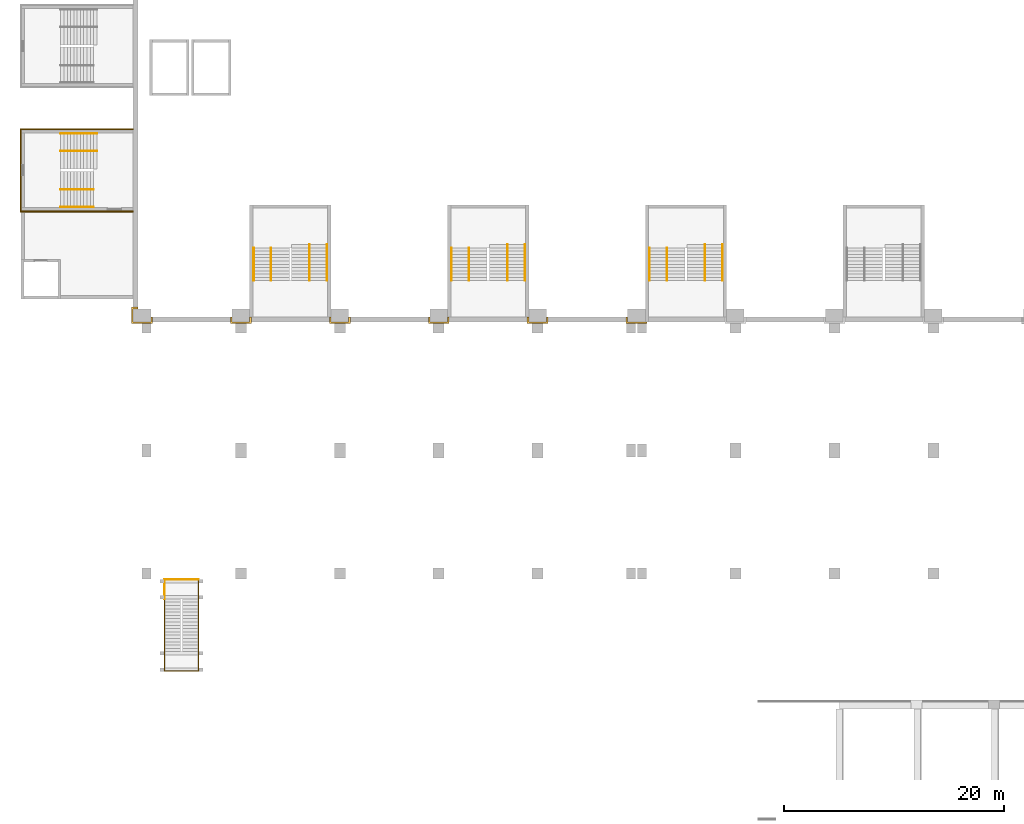
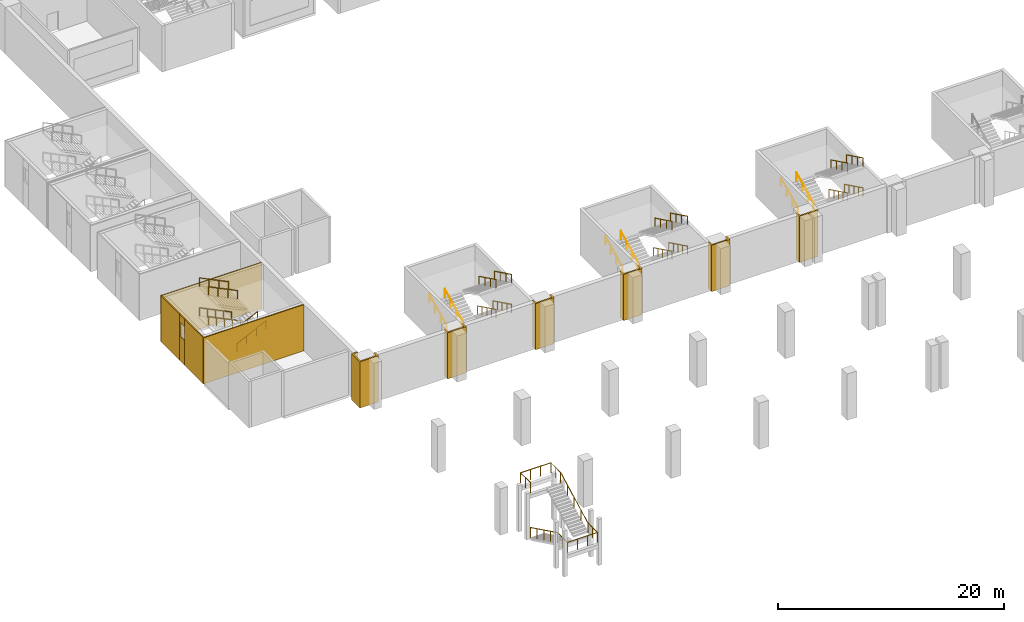
# One storey, part 54 of 67: 26 railings, 12 coverings.
"""IFC4 building model written with IfcOpenShell, lengths in metres."""

import ifcopenshell
import ifcopenshell.guid

model = None  # the IFC model being written
_history = None  # IfcOwnerHistory: only IFC2X3 demands one
_inside = {}  # id of a spatial element -> (the spatial element, [elements in it])
_under = {}  # id of a project, library or spatial element -> (it, [spatial elements below it])
_declared = {}  # id of a project -> (the project, [libraries it declares])
_typed = {}  # id of a type object -> (the type object, [elements of that type])
_made_of = {}  # id of a material, layer set ... -> (it, [elements and type objects made of it])


def new_model(schema):
    """Start an empty IFC model of exactly this schema.

    Asked for "IFC4X3", IfcOpenShell would pick the latest addendum, in which some entities
    have other attributes; the version numbers below select the first issue.
    IFC2X3 requires an IfcOwnerHistory on every rooted entity: one is made here for all.
    """
    global model, _history
    if schema == "IFC4X3":
        model = ifcopenshell.file(schema_version=(4, 3, 0, 0))
    else:
        model = ifcopenshell.file(schema=schema)
    _inside.clear()
    _under.clear()
    _declared.clear()
    _typed.clear()
    _made_of.clear()
    _history = None
    if model.schema == "IFC2X3":
        org = make("IfcOrganization", Name="unknown")
        user = make(
            "IfcPersonAndOrganization",
            ThePerson=make("IfcPerson", FamilyName="unknown"),
            TheOrganization=org,
        )
        app = make(
            "IfcApplication",
            ApplicationDeveloper=org,
            Version="unknown",
            ApplicationFullName="unknown",
            ApplicationIdentifier="unknown",
        )
        _history = make(
            "IfcOwnerHistory",
            OwningUser=user,
            OwningApplication=app,
            ChangeAction="ADDED",
            CreationDate=0,
        )
    return model


def make(cls, **values):
    """One entity of the class cls with the attributes given. An attribute that is None is left unset."""
    return model.create_entity(
        cls, **{name: value for name, value in values.items() if value is not None}
    )


def rooted(cls, **values):
    """An entity with a GlobalId (a new one), such as an element, a storey or a relation."""
    return make(cls, GlobalId=ifcopenshell.guid.new(), OwnerHistory=_history, **values)


def si_unit(unit_type, name, prefix=None):
    """IfcSIUnit, for example si_unit("LENGTHUNIT", "METRE", prefix="MILLI")."""
    return make("IfcSIUnit", UnitType=unit_type, Prefix=prefix, Name=name)


def assignment(units):
    """IfcUnitAssignment: the units of a project."""
    return None if units is None else make("IfcUnitAssignment", Units=units)


def point(xyz):
    """IfcCartesianPoint."""
    return None if xyz is None else make("IfcCartesianPoint", Coordinates=xyz)


def direction(xyz):
    """IfcDirection."""
    return None if xyz is None else make("IfcDirection", DirectionRatios=xyz)


def frame(location, z_axis=None, x_axis=None):
    """IfcAxis2Placement3D, a coordinate frame: its origin and axes. An axis left out is left unset."""
    return make(
        "IfcAxis2Placement3D",
        Location=point(location),
        Axis=direction(z_axis),
        RefDirection=direction(x_axis),
    )


def frame_2d(location, x_axis=None):
    """IfcAxis2Placement2D, a coordinate frame in the plane: its origin and x axis."""
    return make(
        "IfcAxis2Placement2D", Location=point(location), RefDirection=direction(x_axis)
    )


def origin():
    """The frame at (0, 0, 0) with its axes left unset."""
    return frame((0.0, 0.0, 0.0))


def origin_2d():
    """The frame at (0, 0) in the plane with its x axis left unset."""
    return frame_2d((0.0, 0.0))


def place(relative_to, where):
    """IfcLocalPlacement: puts the frame where relative to a parent placement (None: the world)."""
    return make(
        "IfcLocalPlacement", PlacementRelTo=relative_to, RelativePlacement=where
    )


def context(
    kind, dimensions, precision=None, world=None, true_north=None, identifier=None
):
    """IfcGeometricRepresentationContext, for example the 3D "Model" context."""
    return make(
        "IfcGeometricRepresentationContext",
        ContextIdentifier=identifier,
        ContextType=kind,
        CoordinateSpaceDimension=dimensions,
        Precision=precision,
        WorldCoordinateSystem=world,
        TrueNorth=true_north,
    )


def subcontext(parent, identifier, kind, view, scale=None):
    """IfcGeometricRepresentationSubContext, for example "Body" below "Model"."""
    return make(
        "IfcGeometricRepresentationSubContext",
        ContextIdentifier=identifier,
        ContextType=kind,
        ParentContext=parent,
        TargetScale=scale,
        TargetView=view,
    )


def project(units=None, contexts=None):
    """IfcProject with its units and contexts."""
    return rooted(
        "IfcProject",
        Name="project",
        RepresentationContexts=contexts,
        UnitsInContext=assignment(units),
    )


def spatial(cls, under=None, at=None, **own):
    """A site, building, storey or space (cls), placed at a placement, below another one or the project."""
    s = rooted(cls, ObjectPlacement=at, **own)
    if under is not None:
        _under.setdefault(under.id(), (under, []))[1].append(s)
    return s


def polyline(points):
    """IfcPolyline through the points."""
    return make("IfcPolyline", Points=[point(p) for p in points])


def profile(cls, at=None, kind="AREA", **sizes):
    """A parametric profile (cls). Its sizes go by their IFC names, for example OverallWidth=200.0."""
    return make(cls, ProfileType=kind, Position=at, **sizes)


def circle(**sizes):
    """IfcCircleProfileDef."""
    return profile("IfcCircleProfileDef", **sizes)


def outline(outer, holes=None, kind="AREA"):
    """IfcArbitraryClosedProfileDef: a profile drawn as a closed curve; with holes, ...WithVoids."""
    if holes is None:
        return make("IfcArbitraryClosedProfileDef", ProfileType=kind, OuterCurve=outer)
    return make(
        "IfcArbitraryProfileDefWithVoids",
        ProfileType=kind,
        OuterCurve=outer,
        InnerCurves=holes,
    )


def extrude(swept, where, along, depth):
    """IfcExtrudedAreaSolid: the profile swept, set in the frame where, extruded along a direction by depth."""
    return make(
        "IfcExtrudedAreaSolid",
        SweptArea=swept,
        Position=where,
        ExtrudedDirection=direction(along),
        Depth=depth,
    )


def shape(context_of_items, identifier, shape_type, items):
    """IfcShapeRepresentation: the items that make up one representation, for example the "Body"."""
    return make(
        "IfcShapeRepresentation",
        ContextOfItems=context_of_items,
        RepresentationIdentifier=identifier,
        RepresentationType=shape_type,
        Items=items,
    )


def material(Name=None, Category=None):
    """IfcMaterial."""
    return make("IfcMaterial", Name=Name, Category=Category)


def layer(
    of_material, thickness, ventilated=None, Name=None, Category=None, Priority=None
):
    """IfcMaterialLayer: one layer of a wall or slab, of a material (None: an air gap)."""
    return make(
        "IfcMaterialLayer",
        Material=of_material,
        LayerThickness=thickness,
        IsVentilated=ventilated,
        Name=Name,
        Category=Category,
        Priority=Priority,
    )


def layer_set(layers, Name=None):
    """IfcMaterialLayerSet."""
    return make("IfcMaterialLayerSet", MaterialLayers=layers, LayerSetName=Name)


def made_of(thing, what):
    """Note that an element or type object is made of a material, layer set ...; save() writes the relation."""
    if what is not None:
        _made_of.setdefault(what.id(), (what, []))[1].append(thing)
    return thing


def type_object(cls, material=None, **own):
    """A type object (cls), such as IfcWallType, which elements share."""
    return made_of(rooted(cls, **own), material)


def element(
    cls,
    number,
    at=None,
    inside=None,
    cuts=None,
    type_object=None,
    material=None,
    context=None,
    identifier="Body",
    shape_type=None,
    held_by="IfcProductDefinitionShape",
    body=None,
    shapes=None,
    **own,
):
    """One element of the class cls, such as IfcWall. Its Tag is "e" and its number.

    at: its placement. inside: the storey or other place that contains it. cuts: it is an
    opening in that element (IfcRelVoidsElement). A single representation is given by context,
    identifier, shape_type and body (its items); several are given by shapes. held_by: the class
    of the entity that holds the representations. save() writes the other relations.
    """
    e = rooted(cls, Tag="e%d" % number, ObjectPlacement=at, **own)
    if body is not None:
        shapes = [shape(context, identifier, shape_type, body)]
    if shapes is not None:
        e.Representation = make(held_by, Representations=shapes)
    if inside is not None:
        _inside.setdefault(inside.id(), (inside, []))[1].append(e)
    if cuts is not None:
        rooted(
            "IfcRelVoidsElement", RelatingBuildingElement=cuts, RelatedOpeningElement=e
        )
    if type_object is not None:
        _typed.setdefault(type_object.id(), (type_object, []))[1].append(e)
    return made_of(e, material)


def aggregate(whole, parts):
    """IfcRelAggregates: a whole, such as a stair, and the parts it consists of."""
    return rooted("IfcRelAggregates", RelatingObject=whole, RelatedObjects=parts)


def save(model, path):
    """Write the relations noted so far, then the file.

    IfcRelAggregates (storeys below a building ...), IfcRelContainedInSpatialStructure (elements
    in a storey), IfcRelDefinesByType, IfcRelAssociatesMaterial and IfcRelDeclares: one each for
    every whole, place, type object, material and project.
    """
    for whole, parts in _under.values():
        aggregate(whole, parts)
    for where, things in _inside.values():
        rooted(
            "IfcRelContainedInSpatialStructure",
            RelatedElements=things,
            RelatingStructure=where,
        )
    for kind, things in _typed.values():
        rooted("IfcRelDefinesByType", RelatedObjects=things, RelatingType=kind)
    for what, things in _made_of.values():
        rooted("IfcRelAssociatesMaterial", RelatedObjects=things, RelatingMaterial=what)
    for by, libraries in _declared.values():
        rooted("IfcRelDeclares", RelatingContext=by, RelatedDefinitions=libraries)
    model.write(path)


model = new_model("IFC4")

# Units and contexts
model_context = context("Model", 3, precision=1e-05, world=origin(), true_north=direction((0.0, 1.0)))
body_context = subcontext(model_context, "Body", "Model", "MODEL_VIEW")
ifc_project = project(units=[si_unit("LENGTHUNIT", "METRE"), si_unit("AREAUNIT", "SQUARE_METRE"), si_unit("VOLUMEUNIT", "CUBIC_METRE"), si_unit("PLANEANGLEUNIT", "RADIAN"), si_unit("MASSUNIT", "GRAM", prefix="KILO")], contexts=[model_context])

# Site, building, storey
site_placement = place(None, origin())
site = spatial("IfcSite", under=ifc_project, at=site_placement, CompositionType="ELEMENT")
building_placement = place(site_placement, origin())
building = spatial("IfcBuilding", under=site, at=building_placement, Name="Aravalli Gate Trade Fair Centre", CompositionType="ELEMENT")
storey_placement = place(building_placement, frame((0.0, 0.0, 5.0)))
storey = spatial("IfcBuildingStorey", under=building, at=storey_placement, Name="L01", CompositionType="ELEMENT", Elevation=5.0)

# Railings
ifc_material_1 = material(Name="Steel E350", Category="steel")
railing_type_1 = type_object("IfcRailingType", Name="Edge guard 1100", PredefinedType="GUARDRAIL", material=ifc_material_1)
railing_1_placement = place(storey_placement, frame((8.050048828125, 20.199951171875, 0.147216796875)))
element("IfcRailing", 1, at=railing_1_placement, inside=storey, type_object=railing_type_1, Name="Stair guard 1 L01 A", PredefinedType="GUARDRAIL", context=body_context, shape_type="SweptSolid", body=[
    extrude(circle(Radius=0.02392578125, at=origin_2d()), frame((0.0, 0.0, 1.076171875), z_axis=(0.0, -0.89793417156, 0.440129780343), x_axis=(1.0, 0.0, 0.0)), (0.0, 0.0, 1.0), 5.345703125),
    extrude(circle(Radius=0.02392578125, at=origin_2d()), frame((0.0, -4.800048828125, 3.4287109375), z_axis=(0.0, -1.0, 0.0), x_axis=(1.0, 0.0, 0.0)), (0.0, 0.0, 1.0), 1.75),
    extrude(circle(Radius=0.02392578125, at=origin_2d()), frame((0.0, -6.550048828125, 3.4287109375), z_axis=(1.0, 0.0, 0.0), x_axis=(0.0, 1.0, 0.0)), (0.0, 0.0, 1.0), 3.099853515625),
    extrude(circle(Radius=0.02392578125, at=origin_2d()), frame((3.099853515625, -6.550048828125, 3.4287109375), z_axis=(0.0, 1.0, 0.0), x_axis=(-1.0, 0.0, 0.0)), (0.0, 0.0, 1.0), 1.75),
    extrude(circle(Radius=0.02392578125, at=origin_2d()), frame((3.099853515625, -4.800048828125, 3.4287109375), z_axis=(0.0, 0.886916009322, 0.46193072252), x_axis=(-1.0, 0.0, 0.0)), (0.0, 0.0, 1.0), 5.412109375),
    extrude(circle(Radius=0.02392578125, at=origin_2d()), frame((3.099853515625, 0.0, 5.9287109375), z_axis=(0.0, 1.0, 0.0), x_axis=(-1.0, 0.0, 0.0)), (0.0, 0.0, 1.0), 1.75),
    extrude(circle(Radius=0.02099609375, at=origin_2d()), origin(), (0.0, 0.0, 1.0), 1.052001953125),
    extrude(circle(Radius=0.02099609375, at=origin_2d()), frame((0.0, -1.199951171875, 0.588134765625)), (0.0, 0.0, 1.0), 1.052001953125),
    extrude(circle(Radius=0.02099609375, at=origin_2d()), frame((0.0, -2.39990234375, 1.17626953125)), (0.0, 0.0, 1.0), 1.052001953125),
    extrude(circle(Radius=0.02099609375, at=origin_2d()), frame((0.0, -3.60009765625, 1.7646484375)), (0.0, 0.0, 1.0), 1.052001953125),
    extrude(circle(Radius=0.02099609375, at=origin_2d()), frame((0.0, -4.800048828125, 2.352783203125)), (0.0, 0.0, 1.0), 1.052001953125),
    extrude(circle(Radius=0.02099609375, at=origin_2d()), frame((0.0, -5.675048828125, 2.352783203125)), (0.0, 0.0, 1.0), 1.052001953125),
    extrude(circle(Radius=0.02099609375, at=origin_2d()), frame((0.0, -6.550048828125, 2.352783203125)), (0.0, 0.0, 1.0), 1.052001953125),
    extrude(circle(Radius=0.02099609375, at=origin_2d()), frame((1.033203125, -6.550048828125, 2.352783203125)), (0.0, 0.0, 1.0), 1.052001953125),
    extrude(circle(Radius=0.02099609375, at=origin_2d()), frame((2.066650390625, -6.550048828125, 2.352783203125)), (0.0, 0.0, 1.0), 1.052001953125),
    extrude(circle(Radius=0.02099609375, at=origin_2d()), frame((3.099853515625, -6.550048828125, 2.352783203125)), (0.0, 0.0, 1.0), 1.052001953125),
    extrude(circle(Radius=0.02099609375, at=origin_2d()), frame((3.099853515625, -5.675048828125, 2.352783203125)), (0.0, 0.0, 1.0), 1.052001953125),
    extrude(circle(Radius=0.02099609375, at=origin_2d()), frame((3.099853515625, -4.800048828125, 2.352783203125)), (0.0, 0.0, 1.0), 1.052001953125),
    extrude(circle(Radius=0.02099609375, at=origin_2d()), frame((3.099853515625, -3.60009765625, 2.977783203125)), (0.0, 0.0, 1.0), 1.052001953125),
    extrude(circle(Radius=0.02099609375, at=origin_2d()), frame((3.099853515625, -2.39990234375, 3.602783203125)), (0.0, 0.0, 1.0), 1.052001953125),
    extrude(circle(Radius=0.02099609375, at=origin_2d()), frame((3.099853515625, -1.199951171875, 4.227783203125)), (0.0, 0.0, 1.0), 1.052001953125),
    extrude(circle(Radius=0.02099609375, at=origin_2d()), frame((3.099853515625, 0.0, 4.852783203125)), (0.0, 0.0, 1.0), 1.052001953125),
    extrude(circle(Radius=0.02099609375, at=origin_2d()), frame((3.099853515625, 0.875, 4.852783203125)), (0.0, 0.0, 1.0), 1.052001953125),
    extrude(circle(Radius=0.02099609375, at=origin_2d()), frame((3.099853515625, 1.75, 4.852783203125)), (0.0, 0.0, 1.0), 1.052001953125),
])
railing_2_placement = place(storey_placement, frame((8.050048828125, 20.199951171875, 5.0)))
element("IfcRailing", 2, at=railing_2_placement, inside=storey, type_object=railing_type_1, Name="Stair guard 1 L01 B", PredefinedType="GUARDRAIL", context=body_context, shape_type="SweptSolid", body=[
    extrude(circle(Radius=0.02392578125, at=origin_2d()), frame((0.0, 0.0, 1.076171875), z_axis=(0.0, 1.0, 0.0), x_axis=(-1.0, 0.0, 0.0)), (0.0, 0.0, 1.0), 1.75),
    extrude(circle(Radius=0.02392578125, at=origin_2d()), frame((0.0, 1.75, 1.076171875), z_axis=(1.0, 0.0, 0.0), x_axis=(0.0, 1.0, 0.0)), (0.0, 0.0, 1.0), 3.099853515625),
    extrude(circle(Radius=0.02099609375, at=origin_2d()), origin(), (0.0, 0.0, 1.0), 1.052001953125),
    extrude(circle(Radius=0.02099609375, at=origin_2d()), frame((0.0, 0.875, 0.0)), (0.0, 0.0, 1.0), 1.052001953125),
    extrude(circle(Radius=0.02099609375, at=origin_2d()), frame((0.0, 1.75, 0.0)), (0.0, 0.0, 1.0), 1.052001953125),
    extrude(circle(Radius=0.02099609375, at=origin_2d()), frame((1.033203125, 1.75, 0.0)), (0.0, 0.0, 1.0), 1.052001953125),
    extrude(circle(Radius=0.02099609375, at=origin_2d()), frame((2.066650390625, 1.75, 0.0)), (0.0, 0.0, 1.0), 1.052001953125),
    extrude(circle(Radius=0.02099609375, at=origin_2d()), frame((3.099853515625, 1.75, 0.0)), (0.0, 0.0, 1.0), 1.052001953125),
])

# Coverings
ifc_material_2 = material(Name="Terracotta", Category="masonry")
ifc_layer_1 = layer(ifc_material_2, 0.10009765625)
ifc_layer_set_1 = layer_set([ifc_layer_1], Name="Terracotta")
covering_type_1 = type_object("IfcCoveringType", Name="End tower cladding 100", PredefinedType="CLADDING", material=ifc_layer_set_1)
covering_1_placement = place(storey_placement, origin())
element("IfcCovering", 3, at=covering_1_placement, inside=storey, type_object=covering_type_1, Name="End tower W1 cladding L01 side A", PredefinedType="CLADDING", context=body_context, shape_type="SweptSolid", body=[
    extrude(outline(polyline([(5.199951171875, 55.39990234375), (-5.10009765625, 55.39990234375), (-5.10009765625, 55.5), (5.199951171875, 55.5), (5.199951171875, 55.39990234375)])), origin(), (0.0, 0.0, 1.0), 5.0),
])
covering_2_placement = place(storey_placement, origin())
element("IfcCovering", 4, at=covering_2_placement, inside=storey, type_object=covering_type_1, Name="End tower W1 cladding L01 side B", PredefinedType="CLADDING", context=body_context, shape_type="SweptSolid", body=[
    extrude(outline(polyline([(5.199951171875, 62.89990234375), (-5.10009765625, 62.89990234375), (-5.10009765625, 63.0), (5.199951171875, 63.0), (5.199951171875, 62.89990234375)])), origin(), (0.0, 0.0, 1.0), 5.0),
])
covering_3_placement = place(storey_placement, origin())
element("IfcCovering", 5, at=covering_3_placement, inside=storey, type_object=covering_type_1, Name="End tower W1 cladding L01 far left", PredefinedType="CLADDING", context=body_context, shape_type="SweptSolid", body=[
    extrude(outline(polyline([(-5.0, 55.5), (-5.10009765625, 55.5), (-5.10009765625, 58.75), (-5.0, 58.75), (-5.0, 55.5)])), origin(), (0.0, 0.0, 1.0), 5.0),
])
covering_4_placement = place(storey_placement, origin())
element("IfcCovering", 6, at=covering_4_placement, inside=storey, type_object=covering_type_1, Name="End tower W1 cladding L01 far right", PredefinedType="CLADDING", context=body_context, shape_type="SweptSolid", body=[
    extrude(outline(polyline([(-5.0, 59.64990234375), (-5.10009765625, 59.64990234375), (-5.10009765625, 62.89990234375), (-5.0, 62.89990234375), (-5.0, 59.64990234375)])), origin(), (0.0, 0.0, 1.0), 5.0),
])
covering_5_placement = place(storey_placement, origin())
element("IfcCovering", 7, at=covering_5_placement, inside=storey, type_object=covering_type_1, Name="End tower W1 cladding L01 below the window", PredefinedType="CLADDING", context=body_context, shape_type="SweptSolid", body=[
    extrude(outline(polyline([(-5.0, 58.75), (-5.10009765625, 58.75), (-5.10009765625, 59.64990234375), (-5.0, 59.64990234375), (-5.0, 58.75)])), origin(), (0.0, 0.0, 1.0), 2.669921875),
])
covering_6_placement = place(storey_placement, frame((0.0, 0.0, 4.169921875)))
element("IfcCovering", 8, at=covering_6_placement, inside=storey, type_object=covering_type_1, Name="End tower W1 cladding L01 above the window", PredefinedType="CLADDING", context=body_context, shape_type="SweptSolid", body=[
    extrude(outline(polyline([(-5.0, 58.75), (-5.10009765625, 58.75), (-5.10009765625, 59.64990234375), (-5.0, 59.64990234375), (-5.0, 58.75)])), origin(), (0.0, 0.0, 1.0), 0.830078125),
])

# Railings
railing_type_2 = type_object("IfcRailingType", Name="Stair handrail 900", PredefinedType="HANDRAIL", material=ifc_material_1)
for number, where, name in (
    (9, (22.830078125, 52.449951171875, 0.147216796875), "Handrail S02 L01 1"),
    (10, (21.25, 52.449951171875, 0.147216796875), "Handrail centre S02 L01 2"),
):
    element("IfcRailing", number, at=place(storey_placement, frame(where)), inside=storey, type_object=railing_type_2, Name=name, PredefinedType="HANDRAIL", context=body_context, shape_type="SweptSolid", body=[
        extrude(circle(Radius=0.02392578125, at=origin_2d()), frame((0.0, 0.0, 0.8759765625), z_axis=(0.0, -0.897946461621, 0.440104705795), x_axis=(1.0, 0.0, 0.0)), (0.0, 0.0, 1.0), 3.675048828125),
        extrude(circle(Radius=0.02099609375, at=origin_2d()), origin(), (0.0, 0.0, 1.0), 0.851806640625),
        extrude(circle(Radius=0.02099609375, at=origin_2d()), frame((0.0, -0.824951171875, 0.404296875)), (0.0, 0.0, 1.0), 0.851806640625),
        extrude(circle(Radius=0.02099609375, at=origin_2d()), frame((0.0, -1.64990234375, 0.80859375)), (0.0, 0.0, 1.0), 0.851806640625),
        extrude(circle(Radius=0.02099609375, at=origin_2d()), frame((0.0, -2.47509765625, 1.213134765625)), (0.0, 0.0, 1.0), 0.851806640625),
        extrude(circle(Radius=0.02099609375, at=origin_2d()), frame((0.0, -3.300048828125, 1.617431640625)), (0.0, 0.0, 1.0), 0.851806640625),
    ])
for number, where, name in (
    (11, (16.169921875, 49.14990234375, 1.911865234375), "Handrail S02 L01 3"),
    (12, (17.75, 49.14990234375, 1.911865234375), "Handrail centre S02 L01 4"),
):
    element("IfcRailing", number, at=place(storey_placement, frame(where)), inside=storey, type_object=railing_type_2, Name=name, PredefinedType="HANDRAIL", context=body_context, shape_type="SweptSolid", body=[
        extrude(circle(Radius=0.02392578125, at=origin_2d()), frame((0.0, 0.0, 0.8759765625), z_axis=(0.0, 0.897936012048, 0.440126025437), x_axis=(-1.0, 0.0, 0.0)), (0.0, 0.0, 1.0), 3.341064453125),
        extrude(circle(Radius=0.02099609375, at=origin_2d()), origin(), (0.0, 0.0, 1.0), 0.851806640625),
        extrude(circle(Radius=0.02099609375, at=origin_2d()), frame((0.0, 1.0, 0.490234375)), (0.0, 0.0, 1.0), 0.851806640625),
        extrude(circle(Radius=0.02099609375, at=origin_2d()), frame((0.0, 2.0, 0.980224609375)), (0.0, 0.0, 1.0), 0.851806640625),
        extrude(circle(Radius=0.02099609375, at=origin_2d()), frame((0.0, 3.0, 1.470458984375)), (0.0, 0.0, 1.0), 0.851806640625),
    ])
for number, where, name in (
    (13, (22.830078125, 52.14990234375, 3.529296875), "Handrail S02 L01 5"),
    (14, (21.25, 52.14990234375, 3.529296875), "Handrail centre S02 L01 6"),
):
    element("IfcRailing", number, at=place(storey_placement, frame(where)), inside=storey, type_object=railing_type_2, Name=name, PredefinedType="HANDRAIL", context=body_context, shape_type="SweptSolid", body=[
        extrude(circle(Radius=0.02392578125, at=origin_2d()), frame((0.0, 0.0, 0.8759765625), z_axis=(0.0, -0.897907131747, 0.44018494154), x_axis=(1.0, 0.0, 0.0)), (0.0, 0.0, 1.0), 3.341064453125),
        extrude(circle(Radius=0.02099609375, at=origin_2d()), origin(), (0.0, 0.0, 1.0), 0.851806640625),
        extrude(circle(Radius=0.02099609375, at=origin_2d()), frame((0.0, -1.0, 0.490234375)), (0.0, 0.0, 1.0), 0.851806640625),
        extrude(circle(Radius=0.02099609375, at=origin_2d()), frame((0.0, -2.0, 0.98046875)), (0.0, 0.0, 1.0), 0.851806640625),
        extrude(circle(Radius=0.02099609375, at=origin_2d()), frame((0.0, -3.0, 1.470703125)), (0.0, 0.0, 1.0), 0.851806640625),
    ])
for number, where, name in (
    (15, (40.830078125, 52.449951171875, 0.147216796875), "Handrail S04 L01 1"),
    (16, (39.25, 52.449951171875, 0.147216796875), "Handrail centre S04 L01 2"),
):
    element("IfcRailing", number, at=place(storey_placement, frame(where)), inside=storey, type_object=railing_type_2, Name=name, PredefinedType="HANDRAIL", context=body_context, shape_type="SweptSolid", body=[
        extrude(circle(Radius=0.02392578125, at=origin_2d()), frame((0.0, 0.0, 0.8759765625), z_axis=(0.0, -0.897946461621, 0.440104705795), x_axis=(1.0, 0.0, 0.0)), (0.0, 0.0, 1.0), 3.675048828125),
        extrude(circle(Radius=0.02099609375, at=origin_2d()), origin(), (0.0, 0.0, 1.0), 0.851806640625),
        extrude(circle(Radius=0.02099609375, at=origin_2d()), frame((0.0, -0.824951171875, 0.404296875)), (0.0, 0.0, 1.0), 0.851806640625),
        extrude(circle(Radius=0.02099609375, at=origin_2d()), frame((0.0, -1.64990234375, 0.80859375)), (0.0, 0.0, 1.0), 0.851806640625),
        extrude(circle(Radius=0.02099609375, at=origin_2d()), frame((0.0, -2.47509765625, 1.213134765625)), (0.0, 0.0, 1.0), 0.851806640625),
        extrude(circle(Radius=0.02099609375, at=origin_2d()), frame((0.0, -3.300048828125, 1.617431640625)), (0.0, 0.0, 1.0), 0.851806640625),
    ])
for number, where, name in (
    (17, (34.169921875, 49.14990234375, 1.911865234375), "Handrail S04 L01 3"),
    (18, (35.75, 49.14990234375, 1.911865234375), "Handrail centre S04 L01 4"),
):
    element("IfcRailing", number, at=place(storey_placement, frame(where)), inside=storey, type_object=railing_type_2, Name=name, PredefinedType="HANDRAIL", context=body_context, shape_type="SweptSolid", body=[
        extrude(circle(Radius=0.02392578125, at=origin_2d()), frame((0.0, 0.0, 0.8759765625), z_axis=(0.0, 0.897936012048, 0.440126025437), x_axis=(-1.0, 0.0, 0.0)), (0.0, 0.0, 1.0), 3.341064453125),
        extrude(circle(Radius=0.02099609375, at=origin_2d()), origin(), (0.0, 0.0, 1.0), 0.851806640625),
        extrude(circle(Radius=0.02099609375, at=origin_2d()), frame((0.0, 1.0, 0.490234375)), (0.0, 0.0, 1.0), 0.851806640625),
        extrude(circle(Radius=0.02099609375, at=origin_2d()), frame((0.0, 2.0, 0.980224609375)), (0.0, 0.0, 1.0), 0.851806640625),
        extrude(circle(Radius=0.02099609375, at=origin_2d()), frame((0.0, 3.0, 1.470458984375)), (0.0, 0.0, 1.0), 0.851806640625),
    ])
for number, where, name in (
    (19, (40.830078125, 52.14990234375, 3.529296875), "Handrail S04 L01 5"),
    (20, (39.25, 52.14990234375, 3.529296875), "Handrail centre S04 L01 6"),
):
    element("IfcRailing", number, at=place(storey_placement, frame(where)), inside=storey, type_object=railing_type_2, Name=name, PredefinedType="HANDRAIL", context=body_context, shape_type="SweptSolid", body=[
        extrude(circle(Radius=0.02392578125, at=origin_2d()), frame((0.0, 0.0, 0.8759765625), z_axis=(0.0, -0.897907131747, 0.44018494154), x_axis=(1.0, 0.0, 0.0)), (0.0, 0.0, 1.0), 3.341064453125),
        extrude(circle(Radius=0.02099609375, at=origin_2d()), origin(), (0.0, 0.0, 1.0), 0.851806640625),
        extrude(circle(Radius=0.02099609375, at=origin_2d()), frame((0.0, -1.0, 0.490234375)), (0.0, 0.0, 1.0), 0.851806640625),
        extrude(circle(Radius=0.02099609375, at=origin_2d()), frame((0.0, -2.0, 0.98046875)), (0.0, 0.0, 1.0), 0.851806640625),
        extrude(circle(Radius=0.02099609375, at=origin_2d()), frame((0.0, -3.0, 1.470703125)), (0.0, 0.0, 1.0), 0.851806640625),
    ])
for number, where, name in (
    (21, (58.830078125, 52.449951171875, 0.147216796875), "Handrail S06 L01 1"),
    (22, (57.25, 52.449951171875, 0.147216796875), "Handrail centre S06 L01 2"),
):
    element("IfcRailing", number, at=place(storey_placement, frame(where)), inside=storey, type_object=railing_type_2, Name=name, PredefinedType="HANDRAIL", context=body_context, shape_type="SweptSolid", body=[
        extrude(circle(Radius=0.02392578125, at=origin_2d()), frame((0.0, 0.0, 0.8759765625), z_axis=(0.0, -0.897946461621, 0.440104705795), x_axis=(1.0, 0.0, 0.0)), (0.0, 0.0, 1.0), 3.675048828125),
        extrude(circle(Radius=0.02099609375, at=origin_2d()), origin(), (0.0, 0.0, 1.0), 0.851806640625),
        extrude(circle(Radius=0.02099609375, at=origin_2d()), frame((0.0, -0.824951171875, 0.404296875)), (0.0, 0.0, 1.0), 0.851806640625),
        extrude(circle(Radius=0.02099609375, at=origin_2d()), frame((0.0, -1.64990234375, 0.80859375)), (0.0, 0.0, 1.0), 0.851806640625),
        extrude(circle(Radius=0.02099609375, at=origin_2d()), frame((0.0, -2.47509765625, 1.213134765625)), (0.0, 0.0, 1.0), 0.851806640625),
        extrude(circle(Radius=0.02099609375, at=origin_2d()), frame((0.0, -3.300048828125, 1.617431640625)), (0.0, 0.0, 1.0), 0.851806640625),
    ])
for number, where, name in (
    (23, (52.169921875, 49.14990234375, 1.911865234375), "Handrail S06 L01 3"),
    (24, (53.75, 49.14990234375, 1.911865234375), "Handrail centre S06 L01 4"),
):
    element("IfcRailing", number, at=place(storey_placement, frame(where)), inside=storey, type_object=railing_type_2, Name=name, PredefinedType="HANDRAIL", context=body_context, shape_type="SweptSolid", body=[
        extrude(circle(Radius=0.02392578125, at=origin_2d()), frame((0.0, 0.0, 0.8759765625), z_axis=(0.0, 0.897936012048, 0.440126025437), x_axis=(-1.0, 0.0, 0.0)), (0.0, 0.0, 1.0), 3.341064453125),
        extrude(circle(Radius=0.02099609375, at=origin_2d()), origin(), (0.0, 0.0, 1.0), 0.851806640625),
        extrude(circle(Radius=0.02099609375, at=origin_2d()), frame((0.0, 1.0, 0.490234375)), (0.0, 0.0, 1.0), 0.851806640625),
        extrude(circle(Radius=0.02099609375, at=origin_2d()), frame((0.0, 2.0, 0.980224609375)), (0.0, 0.0, 1.0), 0.851806640625),
        extrude(circle(Radius=0.02099609375, at=origin_2d()), frame((0.0, 3.0, 1.470458984375)), (0.0, 0.0, 1.0), 0.851806640625),
    ])
for number, where, name in (
    (25, (58.830078125, 52.14990234375, 3.529296875), "Handrail S06 L01 5"),
    (26, (57.25, 52.14990234375, 3.529296875), "Handrail centre S06 L01 6"),
):
    element("IfcRailing", number, at=place(storey_placement, frame(where)), inside=storey, type_object=railing_type_2, Name=name, PredefinedType="HANDRAIL", context=body_context, shape_type="SweptSolid", body=[
        extrude(circle(Radius=0.02392578125, at=origin_2d()), frame((0.0, 0.0, 0.8759765625), z_axis=(0.0, -0.897907131747, 0.44018494154), x_axis=(1.0, 0.0, 0.0)), (0.0, 0.0, 1.0), 3.341064453125),
        extrude(circle(Radius=0.02099609375, at=origin_2d()), origin(), (0.0, 0.0, 1.0), 0.851806640625),
        extrude(circle(Radius=0.02099609375, at=origin_2d()), frame((0.0, -1.0, 0.490234375)), (0.0, 0.0, 1.0), 0.851806640625),
        extrude(circle(Radius=0.02099609375, at=origin_2d()), frame((0.0, -2.0, 0.98046875)), (0.0, 0.0, 1.0), 0.851806640625),
        extrude(circle(Radius=0.02099609375, at=origin_2d()), frame((0.0, -3.0, 1.470703125)), (0.0, 0.0, 1.0), 0.851806640625),
    ])
for number, where, name in (
    (27, (1.89990234375, 62.530029296875, 0.147216796875), "Handrail W1 L01 1"),
    (28, (1.89990234375, 60.949951171875, 0.147216796875), "Handrail centre W1 L01 2"),
):
    element("IfcRailing", number, at=place(storey_placement, frame(where)), inside=storey, type_object=railing_type_2, Name=name, PredefinedType="HANDRAIL", context=body_context, shape_type="SweptSolid", body=[
        extrude(circle(Radius=0.02392578125, at=origin_2d()), frame((0.0, 0.0, 0.8759765625), z_axis=(-0.897933593325, 0.0, 0.440130960031), x_axis=(0.0, -1.0, 0.0)), (0.0, 0.0, 1.0), 3.6748046875),
        extrude(circle(Radius=0.02099609375, at=origin_2d()), origin(), (0.0, 0.0, 1.0), 0.851806640625),
        extrude(circle(Radius=0.02099609375, at=origin_2d()), frame((-0.824951171875, 0.0, 0.404296875)), (0.0, 0.0, 1.0), 0.851806640625),
        extrude(circle(Radius=0.02099609375, at=origin_2d()), frame((-1.64990234375, 0.0, 0.80859375)), (0.0, 0.0, 1.0), 0.851806640625),
        extrude(circle(Radius=0.02099609375, at=origin_2d()), frame((-2.474853515625, 0.0, 1.213134765625)), (0.0, 0.0, 1.0), 0.851806640625),
        extrude(circle(Radius=0.02099609375, at=origin_2d()), frame((-3.2998046875, 0.0, 1.617431640625)), (0.0, 0.0, 1.0), 0.851806640625),
    ])
for number, where, name in (
    (29, (-1.39990234375, 55.8701171875, 1.911865234375), "Handrail W1 L01 3"),
    (30, (-1.39990234375, 57.449951171875, 1.911865234375), "Handrail centre W1 L01 4"),
):
    element("IfcRailing", number, at=place(storey_placement, frame(where)), inside=storey, type_object=railing_type_2, Name=name, PredefinedType="HANDRAIL", context=body_context, shape_type="SweptSolid", body=[
        extrude(circle(Radius=0.02392578125, at=origin_2d()), frame((0.0, 0.0, 0.8759765625), z_axis=(0.897936012048, 0.0, 0.440126025437), x_axis=(0.0, 1.0, 0.0)), (0.0, 0.0, 1.0), 3.341064453125),
        extrude(circle(Radius=0.02099609375, at=origin_2d()), origin(), (0.0, 0.0, 1.0), 0.851806640625),
        extrude(circle(Radius=0.02099609375, at=origin_2d()), frame((1.0, 0.0, 0.490234375)), (0.0, 0.0, 1.0), 0.851806640625),
        extrude(circle(Radius=0.02099609375, at=origin_2d()), frame((2.0, 0.0, 0.980224609375)), (0.0, 0.0, 1.0), 0.851806640625),
        extrude(circle(Radius=0.02099609375, at=origin_2d()), frame((3.0, 0.0, 1.470458984375)), (0.0, 0.0, 1.0), 0.851806640625),
    ])
for number, where, name in (
    (31, (1.60009765625, 62.530029296875, 3.529296875), "Handrail W1 L01 5"),
    (32, (1.60009765625, 60.949951171875, 3.529296875), "Handrail centre W1 L01 6"),
):
    element("IfcRailing", number, at=place(storey_placement, frame(where)), inside=storey, type_object=railing_type_2, Name=name, PredefinedType="HANDRAIL", context=body_context, shape_type="SweptSolid", body=[
        extrude(circle(Radius=0.02392578125, at=origin_2d()), frame((0.0, 0.0, 0.8759765625), z_axis=(-0.897907131747, 0.0, 0.44018494154), x_axis=(0.0, -1.0, 0.0)), (0.0, 0.0, 1.0), 3.341064453125),
        extrude(circle(Radius=0.02099609375, at=origin_2d()), origin(), (0.0, 0.0, 1.0), 0.851806640625),
        extrude(circle(Radius=0.02099609375, at=origin_2d()), frame((-1.0, 0.0, 0.490234375)), (0.0, 0.0, 1.0), 0.851806640625),
        extrude(circle(Radius=0.02099609375, at=origin_2d()), frame((-2.0, 0.0, 0.98046875)), (0.0, 0.0, 1.0), 0.851806640625),
        extrude(circle(Radius=0.02099609375, at=origin_2d()), frame((-3.0, 0.0, 1.470703125)), (0.0, 0.0, 1.0), 0.851806640625),
    ])

# Coverings
ifc_layer_2 = layer(ifc_material_2, 0.14990234375)
ifc_layer_set_2 = layer_set([ifc_layer_2], Name="Terracotta")
covering_type_2 = type_object("IfcCoveringType", Name="Terracotta pier casing", PredefinedType="CLADDING", material=ifc_layer_set_2)
covering_7_placement = place(storey_placement, origin())
element("IfcCovering", 33, at=covering_7_placement, inside=storey, type_object=covering_type_2, Name="Clad pier A1 L01", PredefinedType="CLADDING", context=body_context, shape_type="SweptSolid", body=[
    extrude(outline(polyline([(5.050048828125, 46.75), (5.64990234375, 46.75), (5.64990234375, 46.60009765625), (5.199951171875, 46.60009765625), (5.199951171875, 45.39990234375), (6.800048828125, 45.39990234375), (6.800048828125, 45.85009765625), (6.949951171875, 45.85009765625), (6.949951171875, 45.25), (5.050048828125, 45.25), (5.050048828125, 46.75)])), origin(), (0.0, 0.0, 1.0), 5.0),
])
covering_8_placement = place(storey_placement, origin())
element("IfcCovering", 34, at=covering_8_placement, inside=storey, type_object=covering_type_2, Name="Clad pier A2 L01", PredefinedType="CLADDING", context=body_context, shape_type="SweptSolid", body=[
    extrude(outline(polyline([(14.050048828125, 45.85009765625), (14.199951171875, 45.85009765625), (14.199951171875, 45.39990234375), (15.800048828125, 45.39990234375), (15.800048828125, 45.85009765625), (15.949951171875, 45.85009765625), (15.949951171875, 45.25), (14.050048828125, 45.25), (14.050048828125, 45.85009765625)])), origin(), (0.0, 0.0, 1.0), 5.0),
])
covering_9_placement = place(storey_placement, origin())
element("IfcCovering", 35, at=covering_9_placement, inside=storey, type_object=covering_type_2, Name="Clad pier A3 L01", PredefinedType="CLADDING", context=body_context, shape_type="SweptSolid", body=[
    extrude(outline(polyline([(23.050048828125, 45.85009765625), (23.199951171875, 45.85009765625), (23.199951171875, 45.39990234375), (24.800048828125, 45.39990234375), (24.800048828125, 45.85009765625), (24.949951171875, 45.85009765625), (24.949951171875, 45.25), (23.050048828125, 45.25), (23.050048828125, 45.85009765625)])), origin(), (0.0, 0.0, 1.0), 5.0),
])
covering_10_placement = place(storey_placement, origin())
element("IfcCovering", 36, at=covering_10_placement, inside=storey, type_object=covering_type_2, Name="Clad pier A4 L01", PredefinedType="CLADDING", context=body_context, shape_type="SweptSolid", body=[
    extrude(outline(polyline([(32.050048828125, 45.85009765625), (32.199951171875, 45.85009765625), (32.199951171875, 45.39990234375), (33.800048828125, 45.39990234375), (33.800048828125, 45.85009765625), (33.949951171875, 45.85009765625), (33.949951171875, 45.25), (32.050048828125, 45.25), (32.050048828125, 45.85009765625)])), origin(), (0.0, 0.0, 1.0), 5.0),
])
covering_11_placement = place(storey_placement, origin())
element("IfcCovering", 37, at=covering_11_placement, inside=storey, type_object=covering_type_2, Name="Clad pier A5 L01", PredefinedType="CLADDING", context=body_context, shape_type="SweptSolid", body=[
    extrude(outline(polyline([(41.050048828125, 45.85009765625), (41.199951171875, 45.85009765625), (41.199951171875, 45.39990234375), (42.800048828125, 45.39990234375), (42.800048828125, 45.85009765625), (42.949951171875, 45.85009765625), (42.949951171875, 45.25), (41.050048828125, 45.25), (41.050048828125, 45.85009765625)])), origin(), (0.0, 0.0, 1.0), 5.0),
])
covering_12_placement = place(storey_placement, origin())
element("IfcCovering", 38, at=covering_12_placement, inside=storey, type_object=covering_type_2, Name="Clad pier A6 L01", PredefinedType="CLADDING", context=body_context, shape_type="SweptSolid", body=[
    extrude(outline(polyline([(50.199951171875, 45.85009765625), (50.199951171875, 45.39990234375), (51.800048828125, 45.39990234375), (51.949951171875, 45.39990234375), (51.949951171875, 45.25), (50.050048828125, 45.25), (50.050048828125, 45.85009765625), (50.199951171875, 45.85009765625)])), origin(), (0.0, 0.0, 1.0), 5.0),
])

save(model, "model.ifc")
